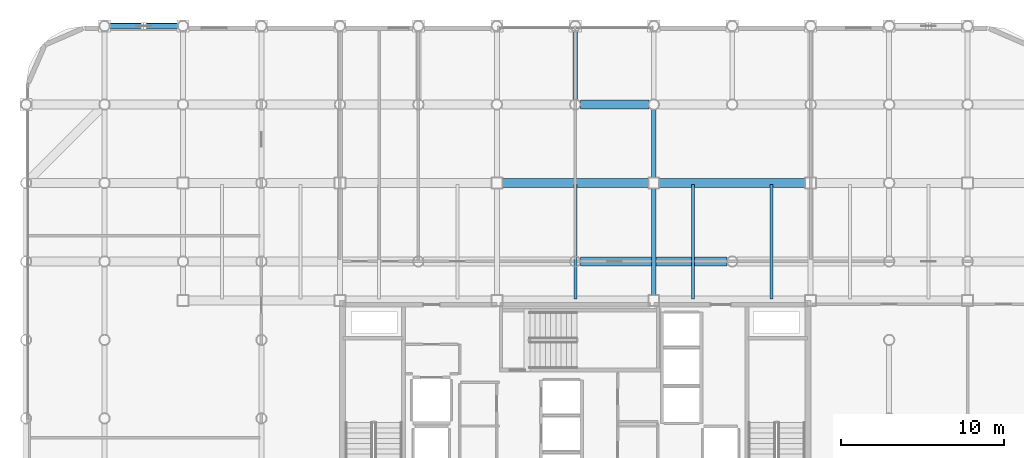
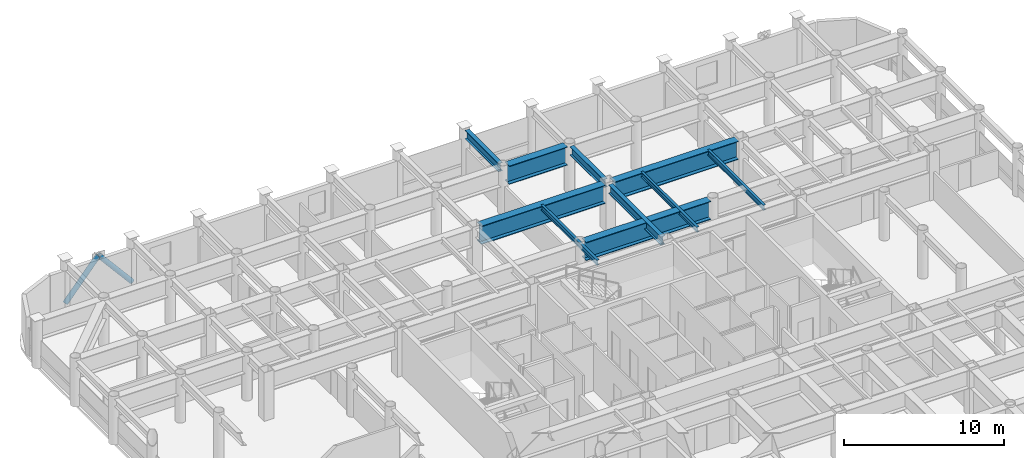
# One storey, part 15 of 24: 10 beams, 2 members.
"""IFC4 building model written with IfcOpenShell, lengths in metres."""

from ifc_helpers import new_model, si_unit, direction, frame, origin, origin_2d, place, context, subcontext, project, spatial, hollow_circle, i_section, extrude, material, material_profile, profile_set, type_object, element, save


model = new_model("IFC4")

# Units and contexts
model_context = context("Model", 3, precision=1e-05, world=origin(), true_north=direction((0.0, 1.0)))
body_context = subcontext(model_context, "Body", "Model", "MODEL_VIEW")
ifc_project = project(units=[si_unit("LENGTHUNIT", "METRE"), si_unit("AREAUNIT", "SQUARE_METRE"), si_unit("VOLUMEUNIT", "CUBIC_METRE"), si_unit("PLANEANGLEUNIT", "RADIAN"), si_unit("MASSUNIT", "GRAM", prefix="KILO")], contexts=[model_context])

# Site, building, storey
site_placement = place(None, origin())
site = spatial("IfcSite", under=ifc_project, at=site_placement, CompositionType="ELEMENT")
building_placement = place(site_placement, origin())
building = spatial("IfcBuilding", under=site, at=building_placement, Name="Kallvorn Hotel Tower", CompositionType="ELEMENT")
storey_placement = place(building_placement, frame((0.0, 0.0, 150.699951171875)))
storey = spatial("IfcBuildingStorey", under=building, at=storey_placement, Name="L37", CompositionType="ELEMENT", Elevation=150.699951171875)

# Beams
ifc_material_1 = material(Name="Structural steel S355JR", Category="steel")
ifc_material_profile_1 = material_profile(ifc_material_1, i_section(OverallWidth=0.300048828125, OverallDepth=0.64990234375, WebThickness=0.01611328125, FlangeThickness=0.031005859375, at=origin_2d()), Name="HE 650 B")
ifc_profile_set_1 = profile_set([ifc_material_profile_1], Name="Structural steel S355JR")
beam_type_1 = type_object("IfcBeamType", Name="BM_HE650B", PredefinedType="BEAM", material=ifc_profile_set_1)
beam_1_placement = place(storey_placement, frame((0.0, 19.5048828125, 3.195068359375), z_axis=(0.0, 1.0, 0.0), x_axis=(-1.0, 0.0, 0.0)))
element("IfcBeam", 1, at=beam_1_placement, inside=storey, type_object=beam_type_1, Name="L38 Primary Y-Girder 126", PredefinedType="BEAM", context=body_context, shape_type="SweptSolid", body=[
    extrude(i_section(OverallWidth=0.300048828125, OverallDepth=0.64990234375, WebThickness=0.01611328125, FlangeThickness=0.031005859375, at=origin_2d()), origin(), (0.0, 0.0, 1.0), 4.190185546875),
])
beam_2_placement = place(storey_placement, frame((4.800048828125, 7.52490234375, 3.195068359375), z_axis=(0.0, 1.0, 0.0), x_axis=(-1.0, 0.0, 0.0)))
element("IfcBeam", 2, at=beam_2_placement, inside=storey, type_object=beam_type_1, Name="L38 Primary Y-Girder 129", PredefinedType="BEAM", context=body_context, shape_type="SweptSolid", body=[
    extrude(i_section(OverallWidth=0.300048828125, OverallDepth=0.64990234375, WebThickness=0.01611328125, FlangeThickness=0.031005859375, at=origin_2d()), origin(), (0.0, 0.0, 1.0), 6.550048828125),
])
beam_3_placement = place(storey_placement, frame((4.800048828125, 14.72509765625, 3.195068359375), z_axis=(0.0, 1.0, 0.0), x_axis=(-1.0, 0.0, 0.0)))
element("IfcBeam", 3, at=beam_3_placement, inside=storey, type_object=beam_type_1, Name="L38 Primary Y-Girder 130", PredefinedType="BEAM", context=body_context, shape_type="SweptSolid", body=[
    extrude(i_section(OverallWidth=0.300048828125, OverallDepth=0.64990234375, WebThickness=0.01611328125, FlangeThickness=0.031005859375, at=origin_2d()), origin(), (0.0, 0.0, 1.0), 4.169921875),
])
ifc_material_2 = material(Name="Structural steel S355JR", Category="steel")
ifc_material_profile_2 = material_profile(ifc_material_2, i_section(OverallWidth=0.179931640625, OverallDepth=0.39990234375, WebThickness=0.008544921875, FlangeThickness=0.013427734375, at=origin_2d()), Name="IPE 400")
ifc_profile_set_2 = profile_set([ifc_material_profile_2], Name="Structural steel S355JR")
beam_type_2 = type_object("IfcBeamType", Name="BM_IPE400", PredefinedType="JOIST", material=ifc_profile_set_2)
for number, where, z_axis, x_axis, name in (
    (4, (0.0, 7.300048828125, 3.320068359375), (0.0, 1.0, 0.0), (-1.0, 0.0, 0.0), "L38 Secondary Composite Joist 214"),
    (5, (7.199951171875, 7.300048828125, 3.320068359375), (0.0, 1.0, 0.0), (-1.0, 0.0, 0.0), "L38 Secondary Composite Joist 216"),
    (6, (12.0, 7.300048828125, 3.320068359375), (0.0, 1.0, 0.0), (-1.0, 0.0, 0.0), "L38 Secondary Composite Joist 218"),
):
    element("IfcBeam", number, at=place(storey_placement, frame(where, z_axis=z_axis, x_axis=x_axis)), inside=storey, type_object=beam_type_2, Name=name, PredefinedType="JOIST", context=body_context, shape_type="SweptSolid", body=[
        extrude(i_section(OverallWidth=0.179931640625, OverallDepth=0.39990234375, WebThickness=0.008544921875, FlangeThickness=0.013427734375, at=origin_2d()), origin(), (0.0, 0.0, 1.0), 7.0),
    ])
ifc_material_3 = material(Name="Structural steel S355JR", Category="steel")
ifc_material_profile_3 = material_profile(ifc_material_3, i_section(OverallWidth=0.550048828125, OverallDepth=1.39990234375, WebThickness=0.02490234375, FlangeThickness=0.044921875, at=origin_2d()), Name="PG 1400x550x25x45")
ifc_profile_set_3 = profile_set([ifc_material_profile_3], Name="Structural steel S355JR")
beam_type_3 = type_object("IfcBeamType", Name="BM_PG_1400", PredefinedType="BEAM", material=ifc_profile_set_3)
beam_4_placement = place(storey_placement, frame((0.304931640625, 9.60009765625, 2.820068359375), z_axis=(1.0, 0.0, 0.0), x_axis=(0.0, 1.0, 0.0)))
element("IfcBeam", 7, at=beam_4_placement, inside=storey, type_object=beam_type_3, Name="L38 Primary X-Girder 59", PredefinedType="BEAM", context=body_context, shape_type="SweptSolid", body=[
    extrude(i_section(OverallWidth=0.550048828125, OverallDepth=1.39990234375, WebThickness=0.02490234375, FlangeThickness=0.044921875, at=origin_2d()), origin(), (0.0, 0.0, 1.0), 8.989990234375),
])
beam_5_placement = place(storey_placement, frame((-4.47509765625, 14.39990234375, 2.820068359375), z_axis=(1.0, 0.0, 0.0), x_axis=(0.0, 1.0, 0.0)))
element("IfcBeam", 8, at=beam_5_placement, inside=storey, type_object=beam_type_3, Name="L38 Primary X-Girder 68", PredefinedType="BEAM", context=body_context, shape_type="SweptSolid", body=[
    extrude(i_section(OverallWidth=0.550048828125, OverallDepth=1.39990234375, WebThickness=0.02490234375, FlangeThickness=0.044921875, at=origin_2d()), origin(), (0.0, 0.0, 1.0), 8.9501953125),
])
beam_6_placement = place(storey_placement, frame((5.125, 14.39990234375, 2.820068359375), z_axis=(1.0, 0.0, 0.0), x_axis=(0.0, 1.0, 0.0)))
element("IfcBeam", 9, at=beam_6_placement, inside=storey, type_object=beam_type_3, Name="L38 Primary X-Girder 69", PredefinedType="BEAM", context=body_context, shape_type="SweptSolid", body=[
    extrude(i_section(OverallWidth=0.550048828125, OverallDepth=1.39990234375, WebThickness=0.02490234375, FlangeThickness=0.044921875, at=origin_2d()), origin(), (0.0, 0.0, 1.0), 8.949951171875),
])
beam_7_placement = place(storey_placement, frame((0.304931640625, 19.199951171875, 2.820068359375), z_axis=(1.0, 0.0, 0.0), x_axis=(0.0, 1.0, 0.0)))
element("IfcBeam", 10, at=beam_7_placement, inside=storey, type_object=beam_type_3, Name="L38 Primary X-Girder 80", PredefinedType="BEAM", context=body_context, shape_type="SweptSolid", body=[
    extrude(i_section(OverallWidth=0.550048828125, OverallDepth=1.39990234375, WebThickness=0.02490234375, FlangeThickness=0.044921875, at=origin_2d()), origin(), (0.0, 0.0, 1.0), 4.190185546875),
])

# Members
ifc_material_4 = material(Name="Structural steel S355J2H", Category="steel")
ifc_material_profile_4 = material_profile(ifc_material_4, hollow_circle(Radius=0.177734375, WallThickness=0.01416015625, at=origin_2d()), Name="CHS 355.6x14.2")
ifc_profile_set_4 = profile_set([ifc_material_profile_4], Name="Structural steel S355J2H")
member_type = type_object("IfcMemberType", Name="MBR_EXO_CHS355", PredefinedType="BRACE", material=ifc_profile_set_4)
for number, where, z_axis, x_axis, name in (
    (11, (-28.787109375, 24.0, 0.1953125), (0.646833296797, 0.0, 0.762631422218), (0.0, 1.0, 0.0), "L37 Exoskeleton K-Brace N1A"),
    (12, (-24.012939453125, 24.0, 0.1953125), (-0.646833296797, 0.0, 0.762631422218), (0.0, -1.0, 0.0), "L37 Exoskeleton K-Brace N1B"),
):
    element("IfcMember", number, at=place(storey_placement, frame(where, z_axis=z_axis, x_axis=x_axis)), inside=storey, type_object=member_type, Name=name, PredefinedType="BRACE", context=body_context, shape_type="SweptSolid", body=[
        extrude(hollow_circle(Radius=0.177734375, WallThickness=0.01416015625, at=origin_2d()), origin(), (0.0, 0.0, 1.0), 3.670654296875),
    ])

save(model, "model.ifc")
